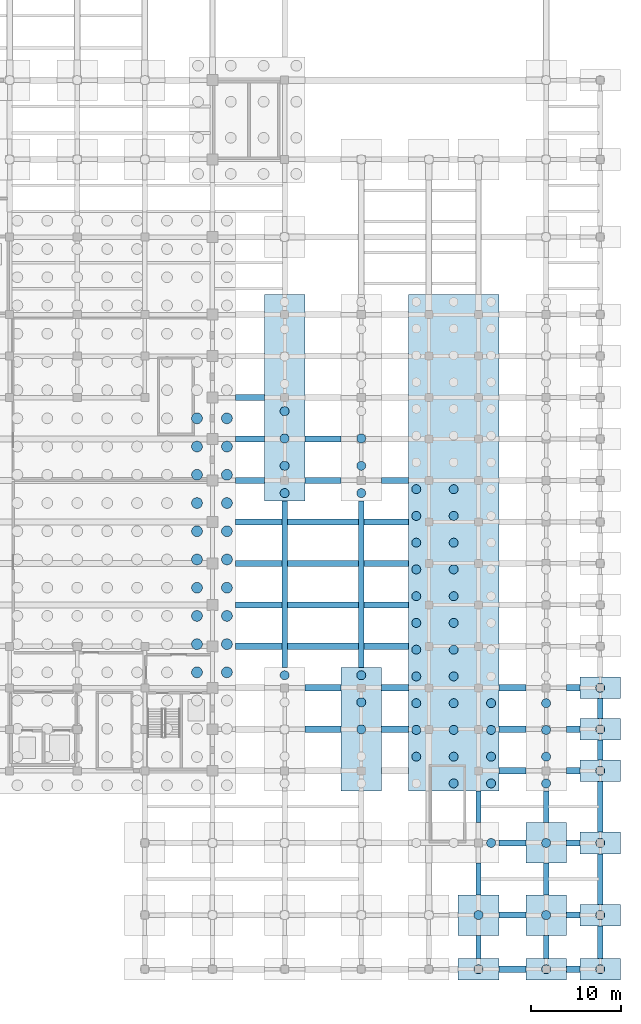
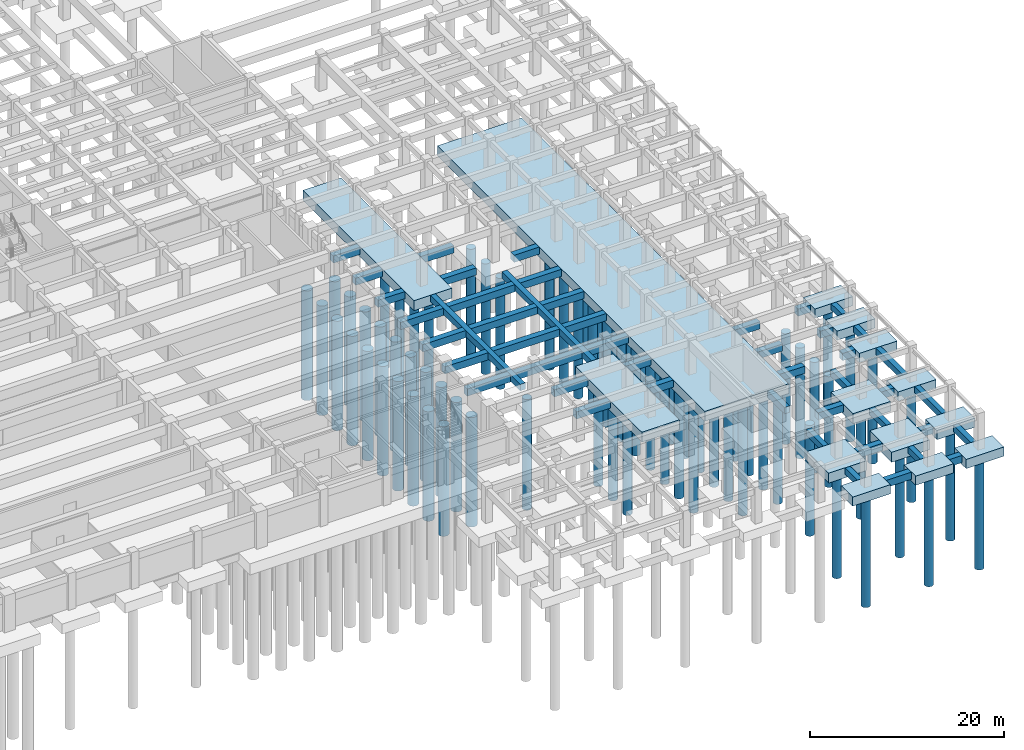
# One storey, part 8 of 32: 74 piles, 53 footings.
"""IFC4 building model written with IfcOpenShell, lengths in metres."""

import ifcopenshell
import ifcopenshell.guid

model = None  # the IFC model being written
_history = None  # IfcOwnerHistory: only IFC2X3 demands one
_inside = {}  # id of a spatial element -> (the spatial element, [elements in it])
_under = {}  # id of a project, library or spatial element -> (it, [spatial elements below it])
_declared = {}  # id of a project -> (the project, [libraries it declares])
_typed = {}  # id of a type object -> (the type object, [elements of that type])
_made_of = {}  # id of a material, layer set ... -> (it, [elements and type objects made of it])


def new_model(schema):
    """Start an empty IFC model of exactly this schema.

    Asked for "IFC4X3", IfcOpenShell would pick the latest addendum, in which some entities
    have other attributes; the version numbers below select the first issue.
    IFC2X3 requires an IfcOwnerHistory on every rooted entity: one is made here for all.
    """
    global model, _history
    if schema == "IFC4X3":
        model = ifcopenshell.file(schema_version=(4, 3, 0, 0))
    else:
        model = ifcopenshell.file(schema=schema)
    _inside.clear()
    _under.clear()
    _declared.clear()
    _typed.clear()
    _made_of.clear()
    _history = None
    if model.schema == "IFC2X3":
        org = make("IfcOrganization", Name="unknown")
        user = make(
            "IfcPersonAndOrganization",
            ThePerson=make("IfcPerson", FamilyName="unknown"),
            TheOrganization=org,
        )
        app = make(
            "IfcApplication",
            ApplicationDeveloper=org,
            Version="unknown",
            ApplicationFullName="unknown",
            ApplicationIdentifier="unknown",
        )
        _history = make(
            "IfcOwnerHistory",
            OwningUser=user,
            OwningApplication=app,
            ChangeAction="ADDED",
            CreationDate=0,
        )
    return model


def make(cls, **values):
    """One entity of the class cls with the attributes given. An attribute that is None is left unset."""
    return model.create_entity(
        cls, **{name: value for name, value in values.items() if value is not None}
    )


def rooted(cls, **values):
    """An entity with a GlobalId (a new one), such as an element, a storey or a relation."""
    return make(cls, GlobalId=ifcopenshell.guid.new(), OwnerHistory=_history, **values)


def si_unit(unit_type, name, prefix=None):
    """IfcSIUnit, for example si_unit("LENGTHUNIT", "METRE", prefix="MILLI")."""
    return make("IfcSIUnit", UnitType=unit_type, Prefix=prefix, Name=name)


def assignment(units):
    """IfcUnitAssignment: the units of a project."""
    return None if units is None else make("IfcUnitAssignment", Units=units)


def point(xyz):
    """IfcCartesianPoint."""
    return None if xyz is None else make("IfcCartesianPoint", Coordinates=xyz)


def direction(xyz):
    """IfcDirection."""
    return None if xyz is None else make("IfcDirection", DirectionRatios=xyz)


def frame(location, z_axis=None, x_axis=None):
    """IfcAxis2Placement3D, a coordinate frame: its origin and axes. An axis left out is left unset."""
    return make(
        "IfcAxis2Placement3D",
        Location=point(location),
        Axis=direction(z_axis),
        RefDirection=direction(x_axis),
    )


def frame_2d(location, x_axis=None):
    """IfcAxis2Placement2D, a coordinate frame in the plane: its origin and x axis."""
    return make(
        "IfcAxis2Placement2D", Location=point(location), RefDirection=direction(x_axis)
    )


def origin():
    """The frame at (0, 0, 0) with its axes left unset."""
    return frame((0.0, 0.0, 0.0))


def origin_2d():
    """The frame at (0, 0) in the plane with its x axis left unset."""
    return frame_2d((0.0, 0.0))


def place(relative_to, where):
    """IfcLocalPlacement: puts the frame where relative to a parent placement (None: the world)."""
    return make(
        "IfcLocalPlacement", PlacementRelTo=relative_to, RelativePlacement=where
    )


def context(
    kind, dimensions, precision=None, world=None, true_north=None, identifier=None
):
    """IfcGeometricRepresentationContext, for example the 3D "Model" context."""
    return make(
        "IfcGeometricRepresentationContext",
        ContextIdentifier=identifier,
        ContextType=kind,
        CoordinateSpaceDimension=dimensions,
        Precision=precision,
        WorldCoordinateSystem=world,
        TrueNorth=true_north,
    )


def subcontext(parent, identifier, kind, view, scale=None):
    """IfcGeometricRepresentationSubContext, for example "Body" below "Model"."""
    return make(
        "IfcGeometricRepresentationSubContext",
        ContextIdentifier=identifier,
        ContextType=kind,
        ParentContext=parent,
        TargetScale=scale,
        TargetView=view,
    )


def project(units=None, contexts=None):
    """IfcProject with its units and contexts."""
    return rooted(
        "IfcProject",
        Name="project",
        RepresentationContexts=contexts,
        UnitsInContext=assignment(units),
    )


def spatial(cls, under=None, at=None, **own):
    """A site, building, storey or space (cls), placed at a placement, below another one or the project."""
    s = rooted(cls, ObjectPlacement=at, **own)
    if under is not None:
        _under.setdefault(under.id(), (under, []))[1].append(s)
    return s


def profile(cls, at=None, kind="AREA", **sizes):
    """A parametric profile (cls). Its sizes go by their IFC names, for example OverallWidth=200.0."""
    return make(cls, ProfileType=kind, Position=at, **sizes)


def rectangle(**sizes):
    """IfcRectangleProfileDef."""
    return profile("IfcRectangleProfileDef", **sizes)


def circle(**sizes):
    """IfcCircleProfileDef."""
    return profile("IfcCircleProfileDef", **sizes)


def extrude(swept, where, along, depth):
    """IfcExtrudedAreaSolid: the profile swept, set in the frame where, extruded along a direction by depth."""
    return make(
        "IfcExtrudedAreaSolid",
        SweptArea=swept,
        Position=where,
        ExtrudedDirection=direction(along),
        Depth=depth,
    )


def shape(context_of_items, identifier, shape_type, items):
    """IfcShapeRepresentation: the items that make up one representation, for example the "Body"."""
    return make(
        "IfcShapeRepresentation",
        ContextOfItems=context_of_items,
        RepresentationIdentifier=identifier,
        RepresentationType=shape_type,
        Items=items,
    )


def material(Name=None, Category=None):
    """IfcMaterial."""
    return make("IfcMaterial", Name=Name, Category=Category)


def material_profile(
    of_material, cross_section, Name=None, Category=None, Priority=None
):
    """IfcMaterialProfile: a cross section and its material."""
    return make(
        "IfcMaterialProfile",
        Name=Name,
        Material=of_material,
        Profile=cross_section,
        Priority=Priority,
        Category=Category,
    )


def profile_set(profiles, Name=None, composite=None):
    """IfcMaterialProfileSet."""
    return make(
        "IfcMaterialProfileSet",
        Name=Name,
        MaterialProfiles=profiles,
        CompositeProfile=composite,
    )


def made_of(thing, what):
    """Note that an element or type object is made of a material, layer set ...; save() writes the relation."""
    if what is not None:
        _made_of.setdefault(what.id(), (what, []))[1].append(thing)
    return thing


def type_object(cls, material=None, **own):
    """A type object (cls), such as IfcWallType, which elements share."""
    return made_of(rooted(cls, **own), material)


def element(
    cls,
    number,
    at=None,
    inside=None,
    cuts=None,
    type_object=None,
    material=None,
    context=None,
    identifier="Body",
    shape_type=None,
    held_by="IfcProductDefinitionShape",
    body=None,
    shapes=None,
    **own,
):
    """One element of the class cls, such as IfcWall. Its Tag is "e" and its number.

    at: its placement. inside: the storey or other place that contains it. cuts: it is an
    opening in that element (IfcRelVoidsElement). A single representation is given by context,
    identifier, shape_type and body (its items); several are given by shapes. held_by: the class
    of the entity that holds the representations. save() writes the other relations.
    """
    e = rooted(cls, Tag="e%d" % number, ObjectPlacement=at, **own)
    if body is not None:
        shapes = [shape(context, identifier, shape_type, body)]
    if shapes is not None:
        e.Representation = make(held_by, Representations=shapes)
    if inside is not None:
        _inside.setdefault(inside.id(), (inside, []))[1].append(e)
    if cuts is not None:
        rooted(
            "IfcRelVoidsElement", RelatingBuildingElement=cuts, RelatedOpeningElement=e
        )
    if type_object is not None:
        _typed.setdefault(type_object.id(), (type_object, []))[1].append(e)
    return made_of(e, material)


def aggregate(whole, parts):
    """IfcRelAggregates: a whole, such as a stair, and the parts it consists of."""
    return rooted("IfcRelAggregates", RelatingObject=whole, RelatedObjects=parts)


def save(model, path):
    """Write the relations noted so far, then the file.

    IfcRelAggregates (storeys below a building ...), IfcRelContainedInSpatialStructure (elements
    in a storey), IfcRelDefinesByType, IfcRelAssociatesMaterial and IfcRelDeclares: one each for
    every whole, place, type object, material and project.
    """
    for whole, parts in _under.values():
        aggregate(whole, parts)
    for where, things in _inside.values():
        rooted(
            "IfcRelContainedInSpatialStructure",
            RelatedElements=things,
            RelatingStructure=where,
        )
    for kind, things in _typed.values():
        rooted("IfcRelDefinesByType", RelatedObjects=things, RelatingType=kind)
    for what, things in _made_of.values():
        rooted("IfcRelAssociatesMaterial", RelatedObjects=things, RelatingMaterial=what)
    for by, libraries in _declared.values():
        rooted("IfcRelDeclares", RelatingContext=by, RelatedDefinitions=libraries)
    model.write(path)


model = new_model("IFC4")

# Units and contexts
model_context = context("Model", 3, precision=1e-05, world=origin(), true_north=direction((0.0, 1.0)))
body_context = subcontext(model_context, "Body", "Model", "MODEL_VIEW")
ifc_project = project(units=[si_unit("LENGTHUNIT", "METRE"), si_unit("AREAUNIT", "SQUARE_METRE"), si_unit("VOLUMEUNIT", "CUBIC_METRE"), si_unit("PLANEANGLEUNIT", "RADIAN"), si_unit("MASSUNIT", "GRAM", prefix="KILO")], contexts=[model_context])

# Site, building, storey
site_placement = place(None, origin())
site = spatial("IfcSite", under=ifc_project, at=site_placement, CompositionType="ELEMENT")
building_placement = place(site_placement, origin())
building = spatial("IfcBuilding", under=site, at=building_placement, Name="Muzn Square Opera House", CompositionType="ELEMENT")
storey_placement = place(building_placement, frame((0.0, 0.0, -4.199951171875)))
storey = spatial("IfcBuildingStorey", under=building, at=storey_placement, Name="B1", CompositionType="ELEMENT", Elevation=-4.199951171875)

# Piles
ifc_material = material(Name="Concrete C40/50", Category="concrete")
ifc_material_profile_1 = material_profile(ifc_material, circle(Radius=0.5, at=origin_2d()), Name="BORED PILE D1000", Category="concrete")
ifc_profile_set_1 = profile_set([ifc_material_profile_1], Name="Concrete C40/50")
pile_type_1 = type_object("IfcPileType", Name="Bored Pile D1000", PredefinedType="BORED", material=ifc_profile_set_1)
for number, where, z_axis, x_axis, name in (
    (1, (162.5, 0.0, -1.469970703125), (0.0, 0.0, -1.0), (1.0, 0.0, 0.0), "Bored Pile BP-B1-BP-D1000-1625_0-14"),
    (2, (170.0, 0.0, -1.469970703125), (0.0, 0.0, -1.0), (1.0, 0.0, 0.0), "Bored Pile BP-B1-BP-D1000-1700_0-15"),
    (3, (176.0, 0.0, -1.469970703125), (0.0, 0.0, -1.0), (1.0, 0.0, 0.0), "Bored Pile BP-B1-BP-D1000-1760_0-16"),
):
    element("IfcPile", number, at=place(storey_placement, frame(where, z_axis=z_axis, x_axis=x_axis)), inside=storey, type_object=pile_type_1, Name=name, PredefinedType="BORED", context=body_context, shape_type="SweptSolid", body=[
        extrude(circle(Radius=0.5, at=origin_2d()), origin(), (0.0, 0.0, 1.0), 14.030029296875),
    ])
for number, where, z_axis, x_axis, name in (
    (4, (162.5, 6.0, -1.570068359375), (0.0, 0.0, -1.0), (1.0, 0.0, 0.0), "Bored Pile BP-B1-BP-D1000-1625_60-29"),
    (5, (170.0, 6.0, -1.570068359375), (0.0, 0.0, -1.0), (1.0, 0.0, 0.0), "Bored Pile BP-B1-BP-D1000-1700_60-30"),
):
    element("IfcPile", number, at=place(storey_placement, frame(where, z_axis=z_axis, x_axis=x_axis)), inside=storey, type_object=pile_type_1, Name=name, PredefinedType="BORED", context=body_context, shape_type="SweptSolid", body=[
        extrude(circle(Radius=0.5, at=origin_2d()), origin(), (0.0, 0.0, 1.0), 13.929931640625),
    ])
pile_1_placement = place(storey_placement, frame((176.0, 6.0, -1.469970703125), z_axis=(0.0, 0.0, -1.0), x_axis=(1.0, 0.0, 0.0)))
element("IfcPile", 6, at=pile_1_placement, inside=storey, type_object=pile_type_1, Name="Bored Pile BP-B1-BP-D1000-1760_60-32", PredefinedType="BORED", context=body_context, shape_type="SweptSolid", body=[
    extrude(circle(Radius=0.5, at=origin_2d()), origin(), (0.0, 0.0, 1.0), 14.030029296875),
])
for number, where, z_axis, x_axis, name in (
    (7, (163.89990234375, 14.0, -1.570068359375), (0.0, 0.0, -1.0), (1.0, 0.0, 0.0), "Bored Pile BP-B1-BP-D1000-1639_140-47"),
    (8, (170.0, 14.0, -1.570068359375), (0.0, 0.0, -1.0), (1.0, 0.0, 0.0), "Bored Pile BP-B1-BP-D1000-1700_140-48"),
):
    element("IfcPile", number, at=place(storey_placement, frame(where, z_axis=z_axis, x_axis=x_axis)), inside=storey, type_object=pile_type_1, Name=name, PredefinedType="BORED", context=body_context, shape_type="SweptSolid", body=[
        extrude(circle(Radius=0.5, at=origin_2d()), origin(), (0.0, 0.0, 1.0), 13.929931640625),
    ])
pile_2_placement = place(storey_placement, frame((176.0, 14.0, -1.469970703125), z_axis=(0.0, 0.0, -1.0), x_axis=(1.0, 0.0, 0.0)))
element("IfcPile", 9, at=pile_2_placement, inside=storey, type_object=pile_type_1, Name="Bored Pile BP-B1-BP-D1000-1760_140-50", PredefinedType="BORED", context=body_context, shape_type="SweptSolid", body=[
    extrude(circle(Radius=0.5, at=origin_2d()), origin(), (0.0, 0.0, 1.0), 14.030029296875),
])
for number, where, z_axis, x_axis, name in (
    (10, (141.0, 32.60009765625, -1.570068359375), (0.0, 0.0, -1.0), (1.0, 0.0, 0.0), "Bored Pile BP-B1-BP-D1000-1410_326-606"),
    (11, (149.5, 26.60009765625, -1.570068359375), (0.0, 0.0, -1.0), (1.0, 0.0, 0.0), "Bored Pile BP-B1-BP-D1000-1495_266-609"),
    (12, (149.5, 29.60009765625, -1.570068359375), (0.0, 0.0, -1.0), (1.0, 0.0, 0.0), "Bored Pile BP-B1-BP-D1000-1495_296-610"),
    (13, (149.5, 32.60009765625, -1.570068359375), (0.0, 0.0, -1.0), (1.0, 0.0, 0.0), "Bored Pile BP-B1-BP-D1000-1495_326-611"),
    (14, (155.60009765625, 23.566650390625, -1.570068359375), (0.0, 0.0, -1.0), (1.0, 0.0, 0.0), "Bored Pile BP-B1-BP-D1000-1556_236-613"),
    (15, (155.60009765625, 26.533203125, -1.570068359375), (0.0, 0.0, -1.0), (1.0, 0.0, 0.0), "Bored Pile BP-B1-BP-D1000-1556_265-614"),
    (16, (155.60009765625, 29.5, -1.570068359375), (0.0, 0.0, -1.0), (1.0, 0.0, 0.0), "Bored Pile BP-B1-BP-D1000-1556_295-615"),
    (17, (155.60009765625, 32.466796875, -1.570068359375), (0.0, 0.0, -1.0), (1.0, 0.0, 0.0), "Bored Pile BP-B1-BP-D1000-1556_325-616"),
    (18, (155.60009765625, 35.433349609375, -1.570068359375), (0.0, 0.0, -1.0), (1.0, 0.0, 0.0), "Bored Pile BP-B1-BP-D1000-1556_354-617"),
    (19, (155.60009765625, 38.39990234375, -1.570068359375), (0.0, 0.0, -1.0), (1.0, 0.0, 0.0), "Bored Pile BP-B1-BP-D1000-1556_384-618"),
    (20, (155.60009765625, 41.36669921875, -1.570068359375), (0.0, 0.0, -1.0), (1.0, 0.0, 0.0), "Bored Pile BP-B1-BP-D1000-1556_414-619"),
    (21, (155.60009765625, 44.333251953125, -1.570068359375), (0.0, 0.0, -1.0), (1.0, 0.0, 0.0), "Bored Pile BP-B1-BP-D1000-1556_443-620"),
    (22, (155.60009765625, 47.300048828125, -1.570068359375), (0.0, 0.0, -1.0), (1.0, 0.0, 0.0), "Bored Pile BP-B1-BP-D1000-1556_473-621"),
    (23, (155.60009765625, 50.2666015625, -1.570068359375), (0.0, 0.0, -1.0), (1.0, 0.0, 0.0), "Bored Pile BP-B1-BP-D1000-1556_503-622"),
    (24, (155.60009765625, 53.2333984375, -1.570068359375), (0.0, 0.0, -1.0), (1.0, 0.0, 0.0), "Bored Pile BP-B1-BP-D1000-1556_532-623"),
    (25, (159.75, 20.60009765625, -1.570068359375), (0.0, 0.0, -1.0), (1.0, 0.0, 0.0), "Bored Pile BP-B1-BP-D1000-1598_206-631"),
    (26, (159.75, 23.566650390625, -1.570068359375), (0.0, 0.0, -1.0), (1.0, 0.0, 0.0), "Bored Pile BP-B1-BP-D1000-1598_236-632"),
    (27, (159.75, 26.533203125, -1.570068359375), (0.0, 0.0, -1.0), (1.0, 0.0, 0.0), "Bored Pile BP-B1-BP-D1000-1598_265-633"),
    (28, (159.75, 29.5, -1.570068359375), (0.0, 0.0, -1.0), (1.0, 0.0, 0.0), "Bored Pile BP-B1-BP-D1000-1598_295-634"),
    (29, (159.75, 32.466796875, -1.570068359375), (0.0, 0.0, -1.0), (1.0, 0.0, 0.0), "Bored Pile BP-B1-BP-D1000-1598_325-635"),
    (30, (159.75, 35.433349609375, -1.570068359375), (0.0, 0.0, -1.0), (1.0, 0.0, 0.0), "Bored Pile BP-B1-BP-D1000-1598_354-636"),
    (31, (159.75, 38.39990234375, -1.570068359375), (0.0, 0.0, -1.0), (1.0, 0.0, 0.0), "Bored Pile BP-B1-BP-D1000-1598_384-637"),
    (32, (159.75, 41.36669921875, -1.570068359375), (0.0, 0.0, -1.0), (1.0, 0.0, 0.0), "Bored Pile BP-B1-BP-D1000-1598_414-638"),
    (33, (159.75, 44.333251953125, -1.570068359375), (0.0, 0.0, -1.0), (1.0, 0.0, 0.0), "Bored Pile BP-B1-BP-D1000-1598_443-639"),
    (34, (159.75, 47.300048828125, -1.570068359375), (0.0, 0.0, -1.0), (1.0, 0.0, 0.0), "Bored Pile BP-B1-BP-D1000-1598_473-640"),
    (35, (159.75, 50.2666015625, -1.570068359375), (0.0, 0.0, -1.0), (1.0, 0.0, 0.0), "Bored Pile BP-B1-BP-D1000-1598_503-641"),
    (36, (159.75, 53.2333984375, -1.570068359375), (0.0, 0.0, -1.0), (1.0, 0.0, 0.0), "Bored Pile BP-B1-BP-D1000-1598_532-642"),
    (37, (163.89990234375, 20.60009765625, -1.570068359375), (0.0, 0.0, -1.0), (1.0, 0.0, 0.0), "Bored Pile BP-B1-BP-D1000-1639_206-650"),
    (38, (163.89990234375, 23.566650390625, -1.570068359375), (0.0, 0.0, -1.0), (1.0, 0.0, 0.0), "Bored Pile BP-B1-BP-D1000-1639_236-651"),
    (39, (163.89990234375, 26.533203125, -1.570068359375), (0.0, 0.0, -1.0), (1.0, 0.0, 0.0), "Bored Pile BP-B1-BP-D1000-1639_265-652"),
    (40, (163.89990234375, 29.5, -1.570068359375), (0.0, 0.0, -1.0), (1.0, 0.0, 0.0), "Bored Pile BP-B1-BP-D1000-1639_295-653"),
    (41, (170.0, 20.60009765625, -1.570068359375), (0.0, 0.0, -1.0), (1.0, 0.0, 0.0), "Bored Pile BP-B1-BP-D1000-1700_206-669"),
    (42, (170.0, 23.566650390625, -1.570068359375), (0.0, 0.0, -1.0), (1.0, 0.0, 0.0), "Bored Pile BP-B1-BP-D1000-1700_236-670"),
    (43, (170.0, 26.533203125, -1.570068359375), (0.0, 0.0, -1.0), (1.0, 0.0, 0.0), "Bored Pile BP-B1-BP-D1000-1700_265-671"),
    (44, (170.0, 29.5, -1.570068359375), (0.0, 0.0, -1.0), (1.0, 0.0, 0.0), "Bored Pile BP-B1-BP-D1000-1700_295-672"),
):
    element("IfcPile", number, at=place(storey_placement, frame(where, z_axis=z_axis, x_axis=x_axis)), inside=storey, type_object=pile_type_1, Name=name, PredefinedType="BORED", context=body_context, shape_type="SweptSolid", body=[
        extrude(circle(Radius=0.5, at=origin_2d()), origin(), (0.0, 0.0, 1.0), 13.929931640625),
    ])
for number, where, z_axis, x_axis, name in (
    (45, (176.0, 22.0, -1.469970703125), (0.0, 0.0, -1.0), (1.0, 0.0, 0.0), "Bored Pile BP-B1-BP-D1000-1760_220-689"),
    (46, (176.0, 26.60009765625, -1.469970703125), (0.0, 0.0, -1.0), (1.0, 0.0, 0.0), "Bored Pile BP-B1-BP-D1000-1760_266-691"),
    (47, (176.0, 31.199951171875, -1.469970703125), (0.0, 0.0, -1.0), (1.0, 0.0, 0.0), "Bored Pile BP-B1-BP-D1000-1760_312-693"),
):
    element("IfcPile", number, at=place(storey_placement, frame(where, z_axis=z_axis, x_axis=x_axis)), inside=storey, type_object=pile_type_1, Name=name, PredefinedType="BORED", context=body_context, shape_type="SweptSolid", body=[
        extrude(circle(Radius=0.5, at=origin_2d()), origin(), (0.0, 0.0, 1.0), 14.030029296875),
    ])
for number, where, z_axis, x_axis, name in (
    (48, (141.0, 52.800048828125, -1.570068359375), (0.0, 0.0, -1.0), (1.0, 0.0, 0.0), "Bored Pile BP-B1-BP-D1000-1410_528-718"),
    (49, (141.0, 55.82861328125, -1.570068359375), (0.0, 0.0, -1.0), (1.0, 0.0, 0.0), "Bored Pile BP-B1-BP-D1000-1410_558-719"),
    (50, (141.0, 58.857177734375, -1.570068359375), (0.0, 0.0, -1.0), (1.0, 0.0, 0.0), "Bored Pile BP-B1-BP-D1000-1410_589-720"),
    (51, (141.0, 61.8857421875, -1.570068359375), (0.0, 0.0, -1.0), (1.0, 0.0, 0.0), "Bored Pile BP-B1-BP-D1000-1410_619-721"),
    (52, (149.5, 52.800048828125, -1.570068359375), (0.0, 0.0, -1.0), (1.0, 0.0, 0.0), "Bored Pile BP-B1-BP-D1000-1495_528-726"),
    (53, (149.5, 55.82861328125, -1.570068359375), (0.0, 0.0, -1.0), (1.0, 0.0, 0.0), "Bored Pile BP-B1-BP-D1000-1495_558-727"),
    (54, (149.5, 58.857177734375, -1.570068359375), (0.0, 0.0, -1.0), (1.0, 0.0, 0.0), "Bored Pile BP-B1-BP-D1000-1495_589-728"),
):
    element("IfcPile", number, at=place(storey_placement, frame(where, z_axis=z_axis, x_axis=x_axis)), inside=storey, type_object=pile_type_1, Name=name, PredefinedType="BORED", context=body_context, shape_type="SweptSolid", body=[
        extrude(circle(Radius=0.5, at=origin_2d()), origin(), (0.0, 0.0, 1.0), 13.929931640625),
    ])
ifc_material_profile_2 = material_profile(ifc_material, circle(Radius=0.60009765625, at=origin_2d()), Name="BORED PILE D1200", Category="concrete")
ifc_profile_set_2 = profile_set([ifc_material_profile_2], Name="Concrete C40/50")
pile_type_2 = type_object("IfcPileType", Name="Bored Pile D1200", PredefinedType="BORED", material=ifc_profile_set_2)
for number, where, z_axis, x_axis, name in (
    (55, (131.280029296875, 32.919921875, -1.719970703125), (0.0, 0.0, -1.0), (1.0, 0.0, 0.0), "Bored Pile BP-B1-BP-D1200-1313_329-475"),
    (56, (131.280029296875, 36.050048828125, -1.719970703125), (0.0, 0.0, -1.0), (1.0, 0.0, 0.0), "Bored Pile BP-B1-BP-D1200-1313_360-476"),
    (57, (131.280029296875, 39.179931640625, -1.719970703125), (0.0, 0.0, -1.0), (1.0, 0.0, 0.0), "Bored Pile BP-B1-BP-D1200-1313_392-477"),
    (58, (131.280029296875, 42.31005859375, -1.719970703125), (0.0, 0.0, -1.0), (1.0, 0.0, 0.0), "Bored Pile BP-B1-BP-D1200-1313_423-478"),
    (59, (131.280029296875, 45.43994140625, -1.719970703125), (0.0, 0.0, -1.0), (1.0, 0.0, 0.0), "Bored Pile BP-B1-BP-D1200-1313_454-479"),
    (60, (131.280029296875, 48.570068359375, -1.719970703125), (0.0, 0.0, -1.0), (1.0, 0.0, 0.0), "Bored Pile BP-B1-BP-D1200-1313_486-480"),
    (61, (131.280029296875, 51.699951171875, -1.719970703125), (0.0, 0.0, -1.0), (1.0, 0.0, 0.0), "Bored Pile BP-B1-BP-D1200-1313_517-481"),
    (62, (131.280029296875, 54.830078125, -1.719970703125), (0.0, 0.0, -1.0), (1.0, 0.0, 0.0), "Bored Pile BP-B1-BP-D1200-1313_548-482"),
    (63, (131.280029296875, 57.9599609375, -1.719970703125), (0.0, 0.0, -1.0), (1.0, 0.0, 0.0), "Bored Pile BP-B1-BP-D1200-1313_580-483"),
    (64, (131.280029296875, 61.090087890625, -1.719970703125), (0.0, 0.0, -1.0), (1.0, 0.0, 0.0), "Bored Pile BP-B1-BP-D1200-1313_611-484"),
    (65, (134.60009765625, 32.919921875, -1.719970703125), (0.0, 0.0, -1.0), (1.0, 0.0, 0.0), "Bored Pile BP-B1-BP-D1200-1346_329-496"),
    (66, (134.60009765625, 36.050048828125, -1.719970703125), (0.0, 0.0, -1.0), (1.0, 0.0, 0.0), "Bored Pile BP-B1-BP-D1200-1346_360-497"),
    (67, (134.60009765625, 39.179931640625, -1.719970703125), (0.0, 0.0, -1.0), (1.0, 0.0, 0.0), "Bored Pile BP-B1-BP-D1200-1346_392-498"),
    (68, (134.60009765625, 42.31005859375, -1.719970703125), (0.0, 0.0, -1.0), (1.0, 0.0, 0.0), "Bored Pile BP-B1-BP-D1200-1346_423-499"),
    (69, (134.60009765625, 45.43994140625, -1.719970703125), (0.0, 0.0, -1.0), (1.0, 0.0, 0.0), "Bored Pile BP-B1-BP-D1200-1346_454-500"),
    (70, (134.60009765625, 48.570068359375, -1.719970703125), (0.0, 0.0, -1.0), (1.0, 0.0, 0.0), "Bored Pile BP-B1-BP-D1200-1346_486-501"),
    (71, (134.60009765625, 51.699951171875, -1.719970703125), (0.0, 0.0, -1.0), (1.0, 0.0, 0.0), "Bored Pile BP-B1-BP-D1200-1346_517-502"),
    (72, (134.60009765625, 54.830078125, -1.719970703125), (0.0, 0.0, -1.0), (1.0, 0.0, 0.0), "Bored Pile BP-B1-BP-D1200-1346_548-503"),
    (73, (134.60009765625, 57.9599609375, -1.719970703125), (0.0, 0.0, -1.0), (1.0, 0.0, 0.0), "Bored Pile BP-B1-BP-D1200-1346_580-504"),
    (74, (134.60009765625, 61.090087890625, -1.719970703125), (0.0, 0.0, -1.0), (1.0, 0.0, 0.0), "Bored Pile BP-B1-BP-D1200-1346_611-505"),
):
    element("IfcPile", number, at=place(storey_placement, frame(where, z_axis=z_axis, x_axis=x_axis)), inside=storey, type_object=pile_type_2, Name=name, PredefinedType="BORED", context=body_context, shape_type="SweptSolid", body=[
        extrude(circle(Radius=0.60009765625, at=origin_2d()), origin(), (0.0, 0.0, 1.0), 13.780029296875),
    ])

# Footings
ifc_material_profile_3 = material_profile(ifc_material, rectangle(XDim=0.60009765625, YDim=0.800048828125, at=origin_2d()), Name="RCTB 600x800", Category="concrete")
ifc_profile_set_3 = profile_set([ifc_material_profile_3], Name="Concrete C40/50")
footing_type_1 = type_object("IfcFootingType", Name="Foundation Tie Beam 600x800", PredefinedType="FOOTING_BEAM", material=ifc_profile_set_3)
for number, where, z_axis, x_axis, name in (
    (75, (141.0, 33.449951171875, -0.820068359375), (0.0, 1.0, 0.0), (-1.0, 0.0, 0.0), "Foundation Tie Beam FTB-Y316"),
    (76, (149.5, 33.449951171875, -0.820068359375), (0.0, 1.0, 0.0), (-1.0, 0.0, 0.0), "Foundation Tie Beam FTB-Y323"),
):
    element("IfcFooting", number, at=place(storey_placement, frame(where, z_axis=z_axis, x_axis=x_axis)), inside=storey, type_object=footing_type_1, Name=name, PredefinedType="FOOTING_BEAM", context=body_context, shape_type="SweptSolid", body=[
        extrude(rectangle(XDim=0.60009765625, YDim=0.800048828125, at=origin_2d()), origin(), (0.0, 0.0, 1.0), 18.5),
    ])
footing_1_placement = place(storey_placement, frame((162.5, 1.199951171875, -0.820068359375), z_axis=(0.0, 1.0, 0.0), x_axis=(-1.0, 0.0, 0.0)))
element("IfcFooting", 77, at=footing_1_placement, inside=storey, type_object=footing_type_1, Name="Foundation Tie Beam FTB-Y329", PredefinedType="FOOTING_BEAM", context=body_context, shape_type="SweptSolid", body=[
    extrude(rectangle(XDim=0.60009765625, YDim=0.800048828125, at=origin_2d()), origin(), (0.0, 0.0, 1.0), 2.550048828125),
])
for number, where, z_axis, x_axis, name in (
    (78, (162.5, 8.25, -0.820068359375), (0.0, 1.0, 0.0), (-1.0, 0.0, 0.0), "Foundation Tie Beam FTB-Y330"),
    (79, (162.5, 16.25, -0.820068359375), (0.0, 1.0, 0.0), (-1.0, 0.0, 0.0), "Foundation Tie Beam FTB-Y331"),
):
    element("IfcFooting", number, at=place(storey_placement, frame(where, z_axis=z_axis, x_axis=x_axis)), inside=storey, type_object=footing_type_1, Name=name, PredefinedType="FOOTING_BEAM", context=body_context, shape_type="SweptSolid", body=[
        extrude(rectangle(XDim=0.60009765625, YDim=0.800048828125, at=origin_2d()), origin(), (0.0, 0.0, 1.0), 3.5),
    ])
footing_2_placement = place(storey_placement, frame((170.0, 1.199951171875, -0.820068359375), z_axis=(0.0, 1.0, 0.0), x_axis=(-1.0, 0.0, 0.0)))
element("IfcFooting", 80, at=footing_2_placement, inside=storey, type_object=footing_type_1, Name="Foundation Tie Beam FTB-Y333", PredefinedType="FOOTING_BEAM", context=body_context, shape_type="SweptSolid", body=[
    extrude(rectangle(XDim=0.60009765625, YDim=0.800048828125, at=origin_2d()), origin(), (0.0, 0.0, 1.0), 2.550048828125),
])
for number, where, z_axis, x_axis, name in (
    (81, (170.0, 8.25, -0.820068359375), (0.0, 1.0, 0.0), (-1.0, 0.0, 0.0), "Foundation Tie Beam FTB-Y334"),
    (82, (170.0, 16.25, -0.820068359375), (0.0, 1.0, 0.0), (-1.0, 0.0, 0.0), "Foundation Tie Beam FTB-Y335"),
):
    element("IfcFooting", number, at=place(storey_placement, frame(where, z_axis=z_axis, x_axis=x_axis)), inside=storey, type_object=footing_type_1, Name=name, PredefinedType="FOOTING_BEAM", context=body_context, shape_type="SweptSolid", body=[
        extrude(rectangle(XDim=0.60009765625, YDim=0.800048828125, at=origin_2d()), origin(), (0.0, 0.0, 1.0), 3.5),
    ])
footing_3_placement = place(storey_placement, frame((176.0, 1.199951171875, -0.820068359375), z_axis=(0.0, 1.0, 0.0), x_axis=(-1.0, 0.0, 0.0)))
element("IfcFooting", 83, at=footing_3_placement, inside=storey, type_object=footing_type_1, Name="Foundation Tie Beam FTB-Y340", PredefinedType="FOOTING_BEAM", context=body_context, shape_type="SweptSolid", body=[
    extrude(rectangle(XDim=0.60009765625, YDim=0.800048828125, at=origin_2d()), origin(), (0.0, 0.0, 1.0), 3.60009765625),
])
for number, where, z_axis, x_axis, name in (
    (84, (176.0, 7.199951171875, -0.820068359375), (0.0, 1.0, 0.0), (-1.0, 0.0, 0.0), "Foundation Tie Beam FTB-Y341"),
    (85, (176.0, 15.199951171875, -0.820068359375), (0.0, 1.0, 0.0), (-1.0, 0.0, 0.0), "Foundation Tie Beam FTB-Y342"),
):
    element("IfcFooting", number, at=place(storey_placement, frame(where, z_axis=z_axis, x_axis=x_axis)), inside=storey, type_object=footing_type_1, Name=name, PredefinedType="FOOTING_BEAM", context=body_context, shape_type="SweptSolid", body=[
        extrude(rectangle(XDim=0.60009765625, YDim=0.800048828125, at=origin_2d()), origin(), (0.0, 0.0, 1.0), 5.60009765625),
    ])
for number, where, z_axis, x_axis, name in (
    (86, (176.0, 23.199951171875, -0.820068359375), (0.0, 1.0, 0.0), (-1.0, 0.0, 0.0), "Foundation Tie Beam FTB-Y343"),
    (87, (176.0, 27.800048828125, -0.820068359375), (0.0, 1.0, 0.0), (-1.0, 0.0, 0.0), "Foundation Tie Beam FTB-Y344"),
):
    element("IfcFooting", number, at=place(storey_placement, frame(where, z_axis=z_axis, x_axis=x_axis)), inside=storey, type_object=footing_type_1, Name=name, PredefinedType="FOOTING_BEAM", context=body_context, shape_type="SweptSolid", body=[
        extrude(rectangle(XDim=0.60009765625, YDim=0.800048828125, at=origin_2d()), origin(), (0.0, 0.0, 1.0), 2.199951171875),
    ])
ifc_material_profile_4 = material_profile(ifc_material, rectangle(XDim=0.699951171875, YDim=0.89990234375, at=origin_2d()), Name="RCTB 700x900", Category="concrete")
ifc_profile_set_4 = profile_set([ifc_material_profile_4], Name="Concrete C40/50")
footing_type_2 = type_object("IfcFootingType", Name="Foundation Tie Beam 700x900", PredefinedType="FOOTING_BEAM", material=ifc_profile_set_4)
footing_4_placement = place(storey_placement, frame((164.75, 0.0, -0.8701171875), z_axis=(1.0, 0.0, 0.0), x_axis=(0.0, 1.0, 0.0)))
element("IfcFooting", 88, at=footing_4_placement, inside=storey, type_object=footing_type_2, Name="Foundation Tie Beam FTB-X013", PredefinedType="FOOTING_BEAM", context=body_context, shape_type="SweptSolid", body=[
    extrude(rectangle(XDim=0.699951171875, YDim=0.89990234375, at=origin_2d()), origin(), (0.0, 0.0, 1.0), 3.0),
])
footing_5_placement = place(storey_placement, frame((172.25, 0.0, -0.8701171875), z_axis=(1.0, 0.0, 0.0), x_axis=(0.0, 1.0, 0.0)))
element("IfcFooting", 89, at=footing_5_placement, inside=storey, type_object=footing_type_2, Name="Foundation Tie Beam FTB-X014", PredefinedType="FOOTING_BEAM", context=body_context, shape_type="SweptSolid", body=[
    extrude(rectangle(XDim=0.699951171875, YDim=0.89990234375, at=origin_2d()), origin(), (0.0, 0.0, 1.0), 1.5),
])
footing_6_placement = place(storey_placement, frame((164.75, 6.0, -0.8701171875), z_axis=(1.0, 0.0, 0.0), x_axis=(0.0, 1.0, 0.0)))
element("IfcFooting", 90, at=footing_6_placement, inside=storey, type_object=footing_type_2, Name="Foundation Tie Beam FTB-X027", PredefinedType="FOOTING_BEAM", context=body_context, shape_type="SweptSolid", body=[
    extrude(rectangle(XDim=0.699951171875, YDim=0.89990234375, at=origin_2d()), origin(), (0.0, 0.0, 1.0), 3.0),
])
footing_7_placement = place(storey_placement, frame((172.25, 6.0, -0.8701171875), z_axis=(1.0, 0.0, 0.0), x_axis=(0.0, 1.0, 0.0)))
element("IfcFooting", 91, at=footing_7_placement, inside=storey, type_object=footing_type_2, Name="Foundation Tie Beam FTB-X028", PredefinedType="FOOTING_BEAM", context=body_context, shape_type="SweptSolid", body=[
    extrude(rectangle(XDim=0.699951171875, YDim=0.89990234375, at=origin_2d()), origin(), (0.0, 0.0, 1.0), 1.5),
])
footing_8_placement = place(storey_placement, frame((164.75, 14.0, -0.8701171875), z_axis=(1.0, 0.0, 0.0), x_axis=(0.0, 1.0, 0.0)))
element("IfcFooting", 92, at=footing_8_placement, inside=storey, type_object=footing_type_2, Name="Foundation Tie Beam FTB-X039", PredefinedType="FOOTING_BEAM", context=body_context, shape_type="SweptSolid", body=[
    extrude(rectangle(XDim=0.699951171875, YDim=0.89990234375, at=origin_2d()), origin(), (0.0, 0.0, 1.0), 3.0),
])
footing_9_placement = place(storey_placement, frame((172.25, 14.0, -0.8701171875), z_axis=(1.0, 0.0, 0.0), x_axis=(0.0, 1.0, 0.0)))
element("IfcFooting", 93, at=footing_9_placement, inside=storey, type_object=footing_type_2, Name="Foundation Tie Beam FTB-X040", PredefinedType="FOOTING_BEAM", context=body_context, shape_type="SweptSolid", body=[
    extrude(rectangle(XDim=0.699951171875, YDim=0.89990234375, at=origin_2d()), origin(), (0.0, 0.0, 1.0), 1.5),
])
footing_10_placement = place(storey_placement, frame((164.75, 22.0, -0.8701171875), z_axis=(1.0, 0.0, 0.0), x_axis=(0.0, 1.0, 0.0)))
element("IfcFooting", 94, at=footing_10_placement, inside=storey, type_object=footing_type_2, Name="Foundation Tie Beam FTB-X053", PredefinedType="FOOTING_BEAM", context=body_context, shape_type="SweptSolid", body=[
    extrude(rectangle(XDim=0.699951171875, YDim=0.89990234375, at=origin_2d()), origin(), (0.0, 0.0, 1.0), 3.0),
])
footing_11_placement = place(storey_placement, frame((172.25, 22.0, -0.8701171875), z_axis=(1.0, 0.0, 0.0), x_axis=(0.0, 1.0, 0.0)))
element("IfcFooting", 95, at=footing_11_placement, inside=storey, type_object=footing_type_2, Name="Foundation Tie Beam FTB-X054", PredefinedType="FOOTING_BEAM", context=body_context, shape_type="SweptSolid", body=[
    extrude(rectangle(XDim=0.699951171875, YDim=0.89990234375, at=origin_2d()), origin(), (0.0, 0.0, 1.0), 1.5),
])
footing_12_placement = place(storey_placement, frame((143.25, 26.60009765625, -0.8701171875), z_axis=(1.0, 0.0, 0.0), x_axis=(0.0, 1.0, 0.0)))
element("IfcFooting", 96, at=footing_12_placement, inside=storey, type_object=footing_type_2, Name="Foundation Tie Beam FTB-X062", PredefinedType="FOOTING_BEAM", context=body_context, shape_type="SweptSolid", body=[
    extrude(rectangle(XDim=0.699951171875, YDim=0.89990234375, at=origin_2d()), origin(), (0.0, 0.0, 1.0), 4.0),
])
for number, where, z_axis, x_axis, name in (
    (97, (151.75, 26.60009765625, -0.8701171875), (1.0, 0.0, 0.0), (0.0, 1.0, 0.0), "Foundation Tie Beam FTB-X063"),
    (98, (164.75, 26.60009765625, -0.8701171875), (1.0, 0.0, 0.0), (0.0, 1.0, 0.0), "Foundation Tie Beam FTB-X064"),
):
    element("IfcFooting", number, at=place(storey_placement, frame(where, z_axis=z_axis, x_axis=x_axis)), inside=storey, type_object=footing_type_2, Name=name, PredefinedType="FOOTING_BEAM", context=body_context, shape_type="SweptSolid", body=[
        extrude(rectangle(XDim=0.699951171875, YDim=0.89990234375, at=origin_2d()), origin(), (0.0, 0.0, 1.0), 3.0),
    ])
footing_13_placement = place(storey_placement, frame((172.25, 26.60009765625, -0.8701171875), z_axis=(1.0, 0.0, 0.0), x_axis=(0.0, 1.0, 0.0)))
element("IfcFooting", 99, at=footing_13_placement, inside=storey, type_object=footing_type_2, Name="Foundation Tie Beam FTB-X065", PredefinedType="FOOTING_BEAM", context=body_context, shape_type="SweptSolid", body=[
    extrude(rectangle(XDim=0.699951171875, YDim=0.89990234375, at=origin_2d()), origin(), (0.0, 0.0, 1.0), 1.5),
])
footing_14_placement = place(storey_placement, frame((143.25, 31.199951171875, -0.8701171875), z_axis=(1.0, 0.0, 0.0), x_axis=(0.0, 1.0, 0.0)))
element("IfcFooting", 100, at=footing_14_placement, inside=storey, type_object=footing_type_2, Name="Foundation Tie Beam FTB-X073", PredefinedType="FOOTING_BEAM", context=body_context, shape_type="SweptSolid", body=[
    extrude(rectangle(XDim=0.699951171875, YDim=0.89990234375, at=origin_2d()), origin(), (0.0, 0.0, 1.0), 4.0),
])
for number, where, z_axis, x_axis, name in (
    (101, (151.75, 31.199951171875, -0.8701171875), (1.0, 0.0, 0.0), (0.0, 1.0, 0.0), "Foundation Tie Beam FTB-X074"),
    (102, (164.75, 31.199951171875, -0.8701171875), (1.0, 0.0, 0.0), (0.0, 1.0, 0.0), "Foundation Tie Beam FTB-X075"),
):
    element("IfcFooting", number, at=place(storey_placement, frame(where, z_axis=z_axis, x_axis=x_axis)), inside=storey, type_object=footing_type_2, Name=name, PredefinedType="FOOTING_BEAM", context=body_context, shape_type="SweptSolid", body=[
        extrude(rectangle(XDim=0.699951171875, YDim=0.89990234375, at=origin_2d()), origin(), (0.0, 0.0, 1.0), 3.0),
    ])
footing_15_placement = place(storey_placement, frame((172.25, 31.199951171875, -0.8701171875), z_axis=(1.0, 0.0, 0.0), x_axis=(0.0, 1.0, 0.0)))
element("IfcFooting", 103, at=footing_15_placement, inside=storey, type_object=footing_type_2, Name="Foundation Tie Beam FTB-X076", PredefinedType="FOOTING_BEAM", context=body_context, shape_type="SweptSolid", body=[
    extrude(rectangle(XDim=0.699951171875, YDim=0.89990234375, at=origin_2d()), origin(), (0.0, 0.0, 1.0), 1.5),
])
for number, where, z_axis, x_axis, name in (
    (104, (135.550048828125, 35.800048828125, -0.8701171875), (1.0, 0.0, 0.0), (0.0, 1.0, 0.0), "Foundation Tie Beam FTB-X081"),
    (105, (135.550048828125, 40.39990234375, -0.8701171875), (1.0, 0.0, 0.0), (0.0, 1.0, 0.0), "Foundation Tie Beam FTB-X088"),
    (106, (135.550048828125, 45.0, -0.8701171875), (1.0, 0.0, 0.0), (0.0, 1.0, 0.0), "Foundation Tie Beam FTB-X095"),
    (107, (135.550048828125, 49.60009765625, -0.8701171875), (1.0, 0.0, 0.0), (0.0, 1.0, 0.0), "Foundation Tie Beam FTB-X102"),
):
    element("IfcFooting", number, at=place(storey_placement, frame(where, z_axis=z_axis, x_axis=x_axis)), inside=storey, type_object=footing_type_2, Name=name, PredefinedType="FOOTING_BEAM", context=body_context, shape_type="SweptSolid", body=[
        extrude(rectangle(XDim=0.699951171875, YDim=0.89990234375, at=origin_2d()), origin(), (0.0, 0.0, 1.0), 19.199951171875),
    ])
footing_16_placement = place(storey_placement, frame((135.550048828125, 54.199951171875, -0.8701171875), z_axis=(1.0, 0.0, 0.0), x_axis=(0.0, 1.0, 0.0)))
element("IfcFooting", 108, at=footing_16_placement, inside=storey, type_object=footing_type_2, Name="Foundation Tie Beam FTB-X111", PredefinedType="FOOTING_BEAM", context=body_context, shape_type="SweptSolid", body=[
    extrude(rectangle(XDim=0.699951171875, YDim=0.89990234375, at=origin_2d()), origin(), (0.0, 0.0, 1.0), 3.199951171875),
])
footing_17_placement = place(storey_placement, frame((143.25, 54.199951171875, -0.8701171875), z_axis=(1.0, 0.0, 0.0), x_axis=(0.0, 1.0, 0.0)))
element("IfcFooting", 109, at=footing_17_placement, inside=storey, type_object=footing_type_2, Name="Foundation Tie Beam FTB-X112", PredefinedType="FOOTING_BEAM", context=body_context, shape_type="SweptSolid", body=[
    extrude(rectangle(XDim=0.699951171875, YDim=0.89990234375, at=origin_2d()), origin(), (0.0, 0.0, 1.0), 4.0),
])
footing_18_placement = place(storey_placement, frame((151.75, 54.199951171875, -0.8701171875), z_axis=(1.0, 0.0, 0.0), x_axis=(0.0, 1.0, 0.0)))
element("IfcFooting", 110, at=footing_18_placement, inside=storey, type_object=footing_type_2, Name="Foundation Tie Beam FTB-X113", PredefinedType="FOOTING_BEAM", context=body_context, shape_type="SweptSolid", body=[
    extrude(rectangle(XDim=0.699951171875, YDim=0.89990234375, at=origin_2d()), origin(), (0.0, 0.0, 1.0), 3.0),
])
footing_19_placement = place(storey_placement, frame((135.550048828125, 58.800048828125, -0.8701171875), z_axis=(1.0, 0.0, 0.0), x_axis=(0.0, 1.0, 0.0)))
element("IfcFooting", 111, at=footing_19_placement, inside=storey, type_object=footing_type_2, Name="Foundation Tie Beam FTB-X122", PredefinedType="FOOTING_BEAM", context=body_context, shape_type="SweptSolid", body=[
    extrude(rectangle(XDim=0.699951171875, YDim=0.89990234375, at=origin_2d()), origin(), (0.0, 0.0, 1.0), 3.199951171875),
])
footing_20_placement = place(storey_placement, frame((143.25, 58.800048828125, -0.8701171875), z_axis=(1.0, 0.0, 0.0), x_axis=(0.0, 1.0, 0.0)))
element("IfcFooting", 112, at=footing_20_placement, inside=storey, type_object=footing_type_2, Name="Foundation Tie Beam FTB-X123", PredefinedType="FOOTING_BEAM", context=body_context, shape_type="SweptSolid", body=[
    extrude(rectangle(XDim=0.699951171875, YDim=0.89990234375, at=origin_2d()), origin(), (0.0, 0.0, 1.0), 4.0),
])
footing_21_placement = place(storey_placement, frame((135.550048828125, 63.39990234375, -0.8701171875), z_axis=(1.0, 0.0, 0.0), x_axis=(0.0, 1.0, 0.0)))
element("IfcFooting", 113, at=footing_21_placement, inside=storey, type_object=footing_type_2, Name="Foundation Tie Beam FTB-X133", PredefinedType="FOOTING_BEAM", context=body_context, shape_type="SweptSolid", body=[
    extrude(rectangle(XDim=0.699951171875, YDim=0.89990234375, at=origin_2d()), origin(), (0.0, 0.0, 1.0), 3.199951171875),
])
footing_type_3 = type_object("IfcFootingType", Name="Pile Cap 13700x4500x1250", PredefinedType="PILE_CAP", material=ifc_material)
footing_22_placement = place(storey_placement, frame((149.5, 26.60009765625, -1.670166015625), z_axis=(0.0, 0.0, 1.0), x_axis=(1.0, 0.0, 0.0)))
element("IfcFooting", 114, at=footing_22_placement, inside=storey, type_object=footing_type_3, Name="Pile Cap PC-B1-057", PredefinedType="PILE_CAP", context=body_context, shape_type="SweptSolid", body=[
    extrude(rectangle(XDim=4.5, YDim=13.699951171875, at=origin_2d()), origin(), (0.0, 0.0, 1.0), 1.25),
])
footing_type_4 = type_object("IfcFootingType", Name="Pile Cap 22900x4500x1250", PredefinedType="PILE_CAP", material=ifc_material)
footing_23_placement = place(storey_placement, frame((141.0, 63.39990234375, -1.670166015625), z_axis=(0.0, 0.0, 1.0), x_axis=(1.0, 0.0, 0.0)))
element("IfcFooting", 115, at=footing_23_placement, inside=storey, type_object=footing_type_4, Name="Pile Cap PC-B1-076", PredefinedType="PILE_CAP", context=body_context, shape_type="SweptSolid", body=[
    extrude(rectangle(XDim=4.5, YDim=22.89990234375, at=origin_2d()), origin(), (0.0, 0.0, 1.0), 1.25),
])
footing_type_5 = type_object("IfcFootingType", Name="Pile Cap 4500x2400x1150", PredefinedType="PILE_CAP", material=ifc_material)
for number, where, z_axis, x_axis, name in (
    (116, (162.5, 0.0, -1.570068359375), (0.0, 0.0, 1.0), (1.0, 0.0, 0.0), "Pile Cap PC-B1-014"),
    (117, (170.0, 0.0, -1.570068359375), (0.0, 0.0, 1.0), (1.0, 0.0, 0.0), "Pile Cap PC-B1-015"),
    (118, (176.0, 0.0, -1.570068359375), (0.0, 0.0, 1.0), (1.0, 0.0, 0.0), "Pile Cap PC-B1-016"),
    (119, (176.0, 6.0, -1.570068359375), (0.0, 0.0, 1.0), (1.0, 0.0, 0.0), "Pile Cap PC-B1-032"),
    (120, (176.0, 14.0, -1.570068359375), (0.0, 0.0, 1.0), (1.0, 0.0, 0.0), "Pile Cap PC-B1-046"),
    (121, (176.0, 22.0, -1.570068359375), (0.0, 0.0, 1.0), (1.0, 0.0, 0.0), "Pile Cap PC-B1-061"),
    (122, (176.0, 26.60009765625, -1.570068359375), (0.0, 0.0, 1.0), (1.0, 0.0, 0.0), "Pile Cap PC-B1-063"),
    (123, (176.0, 31.199951171875, -1.570068359375), (0.0, 0.0, 1.0), (1.0, 0.0, 0.0), "Pile Cap PC-B1-065"),
):
    element("IfcFooting", number, at=place(storey_placement, frame(where, z_axis=z_axis, x_axis=x_axis)), inside=storey, type_object=footing_type_5, Name=name, PredefinedType="PILE_CAP", context=body_context, shape_type="SweptSolid", body=[
        extrude(rectangle(XDim=4.5, YDim=2.39990234375, at=origin_2d()), origin(), (0.0, 0.0, 1.0), 1.14990234375),
    ])
footing_type_6 = type_object("IfcFootingType", Name="Pile Cap 4500x4500x1250", PredefinedType="PILE_CAP", material=ifc_material)
for number, where, z_axis, x_axis, name in (
    (124, (162.5, 6.0, -1.670166015625), (0.0, 0.0, 1.0), (1.0, 0.0, 0.0), "Pile Cap PC-B1-029"),
    (125, (170.0, 6.0, -1.670166015625), (0.0, 0.0, 1.0), (1.0, 0.0, 0.0), "Pile Cap PC-B1-030"),
    (126, (170.0, 14.0, -1.670166015625), (0.0, 0.0, 1.0), (1.0, 0.0, 0.0), "Pile Cap PC-B1-044"),
):
    element("IfcFooting", number, at=place(storey_placement, frame(where, z_axis=z_axis, x_axis=x_axis)), inside=storey, type_object=footing_type_6, Name=name, PredefinedType="PILE_CAP", context=body_context, shape_type="SweptSolid", body=[
        extrude(rectangle(XDim=4.5, YDim=4.5, at=origin_2d()), origin(), (0.0, 0.0, 1.0), 1.25),
    ])
footing_type_7 = type_object("IfcFootingType", Name="Pile Cap 55100x10000x1250", PredefinedType="PILE_CAP", material=ifc_material)
footing_24_placement = place(storey_placement, frame((159.75, 47.300048828125, -1.670166015625), z_axis=(0.0, 0.0, 1.0), x_axis=(1.0, 0.0, 0.0)))
element("IfcFooting", 127, at=footing_24_placement, inside=storey, type_object=footing_type_7, Name="Pile Cap PC-B1-058", PredefinedType="PILE_CAP", context=body_context, shape_type="SweptSolid", body=[
    extrude(rectangle(XDim=10.0, YDim=55.10009765625, at=origin_2d()), origin(), (0.0, 0.0, 1.0), 1.25),
])

save(model, "model.ifc")
